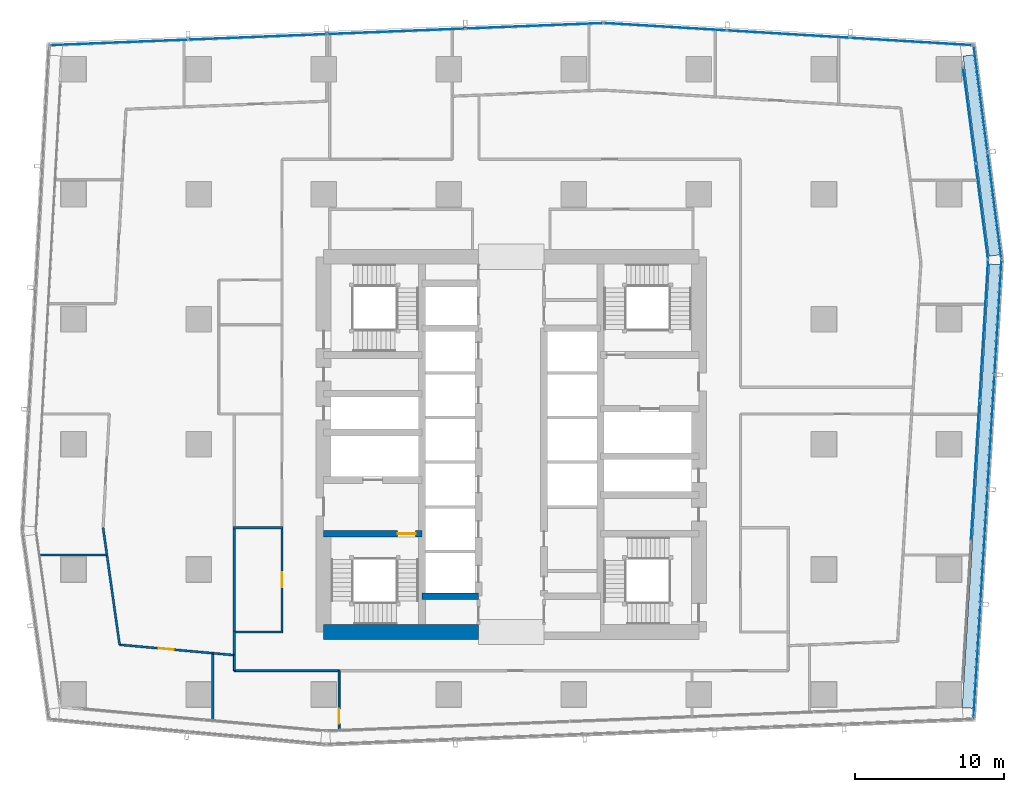
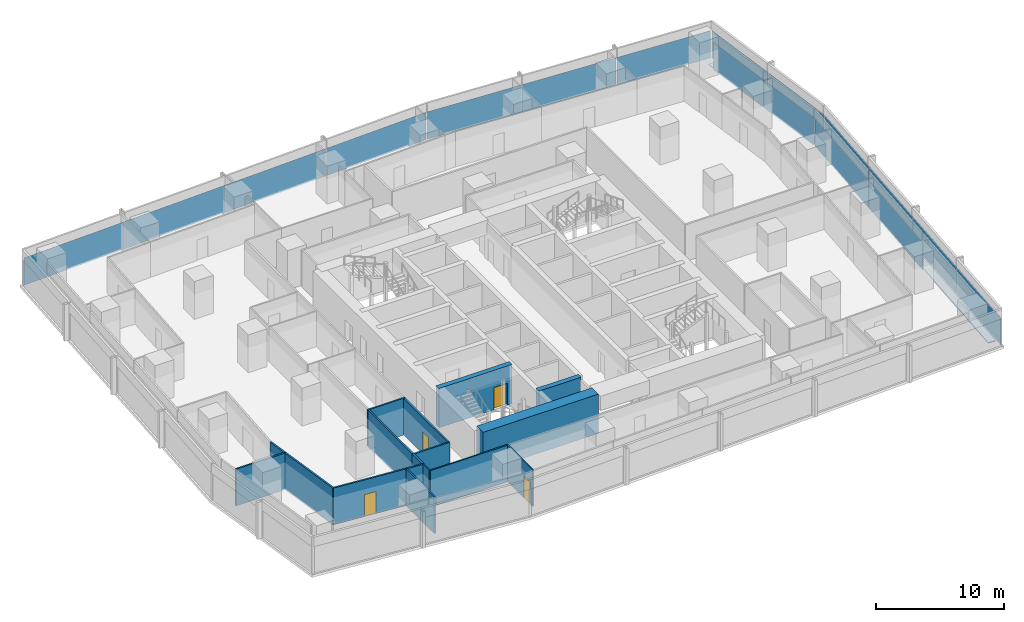
# One storey, part 28 of 40: 19 plates, 17 walls, 4 doors, 4 openings, 6 elements without a shape of their own.
"""IFC4 building model written with IfcOpenShell, lengths in metres."""

from ifc_helpers import new_model, si_unit, direction, frame, frame_2d, origin, origin_2d, place, context, subcontext, project, spatial, rectangle, extrude, material, layer, layer_set, type_object, element, fill, aggregate, save


model = new_model("IFC4")

# Units and contexts
model_context = context("Model", 3, precision=1e-05, world=origin(), true_north=direction((0.0, 1.0)))
body_context = subcontext(model_context, "Body", "Model", "MODEL_VIEW")
ifc_project = project(units=[si_unit("LENGTHUNIT", "METRE"), si_unit("AREAUNIT", "SQUARE_METRE"), si_unit("VOLUMEUNIT", "CUBIC_METRE"), si_unit("PLANEANGLEUNIT", "RADIAN"), si_unit("MASSUNIT", "GRAM", prefix="KILO")], contexts=[model_context])

# Site, building, storey
site_placement = place(None, origin())
site = spatial("IfcSite", under=ifc_project, at=site_placement, CompositionType="ELEMENT")
building_placement = place(site_placement, origin())
building = spatial("IfcBuilding", under=site, at=building_placement, Name="Rekha Terrace Tower", CompositionType="ELEMENT")
storey_placement = place(building_placement, frame((0.0, 0.0, 106.550048828125)))
storey = spatial("IfcBuildingStorey", under=building, at=storey_placement, Name="L26", CompositionType="ELEMENT", Elevation=106.550048828125)

# Curtain wall, plates
ifc_material_1 = material(Name="Aluminium framing", Category="aluminium")
curtain_wall_type_1 = type_object("IfcCurtainWallType", Name="CW1 double skin inner glazing", PredefinedType="USERDEFINED", material=ifc_material_1)
curtain_wall_1_placement = place(storey_placement, origin())
curtain_wall_1 = element("IfcCurtainWall", 1, at=curtain_wall_1_placement, inside=storey, type_object=curtain_wall_type_1, Name="CW1 double skin inner glazing", ObjectType="DOUBLE SKIN INNER GLAZING", PredefinedType="USERDEFINED")
ifc_material_2 = material(Name="Double-glazed low-e unit 32", Category="glass")
ifc_layer_1 = layer(ifc_material_2, 0.031982421875)
ifc_layer_set_1 = layer_set([ifc_layer_1], Name="Double-glazed low-e unit 32")
plate_type_1 = type_object("IfcPlateType", Name="CW1 jumbo vision panel, double-glazed low-e unit 32", PredefinedType="CURTAIN_PANEL", material=ifc_layer_set_1)
plate_1_placement = place(storey_placement, frame((68.968505859375, 31.8193359375, 0.0), z_axis=(0.0, 0.0, 1.0), x_axis=(0.061159803131, 0.998127987024, 0.0)))
plate_1 = element("IfcPlate", 2, at=plate_1_placement, type_object=plate_type_1, Name="CW1 panel 2.1", PredefinedType="CURTAIN_PANEL", context=body_context, shape_type="SweptSolid", body=[
    extrude(rectangle(XDim=9.3876953125, YDim=0.031982421875, at=origin_2d()), origin(), (0.0, 0.0, 1.0), 2.60009765625),
])
plate_2_placement = place(storey_placement, frame((69.547607421875, 41.2705078125, 0.0), z_axis=(0.0, 0.0, 1.0), x_axis=(0.061159803131, 0.998127987024, 0.0)))
plate_2 = element("IfcPlate", 3, at=plate_2_placement, type_object=plate_type_1, Name="CW1 panel 3.1", PredefinedType="CURTAIN_PANEL", context=body_context, shape_type="SweptSolid", body=[
    extrude(rectangle(XDim=9.420166015625, YDim=0.031982421875, at=origin_2d()), origin(), (0.0, 0.0, 1.0), 2.60009765625),
])
aggregate(curtain_wall_1, [plate_1, plate_2])

curtain_wall_2_placement = place(storey_placement, origin())
curtain_wall_2 = element("IfcCurtainWall", 4, at=curtain_wall_2_placement, inside=storey, type_object=curtain_wall_type_1, Name="CW1 double skin inner glazing", ObjectType="DOUBLE SKIN INNER GLAZING", PredefinedType="USERDEFINED")
plate_3_placement = place(storey_placement, frame((69.411376953125, 49.230712890625, 0.0), z_axis=(0.0, 0.0, 1.0), x_axis=(-0.129118383675, 0.991629186237, 0.0)))
plate_3 = element("IfcPlate", 5, at=plate_3_placement, type_object=plate_type_1, Name="CW1 panel 1.1", PredefinedType="CURTAIN_PANEL", context=body_context, shape_type="SweptSolid", body=[
    extrude(rectangle(XDim=6.443115234375, YDim=0.031982421875, at=origin_2d()), origin(), (0.0, 0.0, 1.0), 2.60009765625),
])
plate_4_placement = place(storey_placement, frame((68.571044921875, 55.68408203125, 0.0), z_axis=(0.0, 0.0, 1.0), x_axis=(-0.129118383675, 0.991629186237, 0.0)))
plate_4 = element("IfcPlate", 6, at=plate_4_placement, type_object=plate_type_1, Name="CW1 panel 2.1", PredefinedType="CURTAIN_PANEL", context=body_context, shape_type="SweptSolid", body=[
    extrude(rectangle(XDim=6.443115234375, YDim=0.031982421875, at=origin_2d()), origin(), (0.0, 0.0, 1.0), 2.60009765625),
])
aggregate(curtain_wall_2, [plate_3, plate_4])

curtain_wall_type_2 = type_object("IfcCurtainWallType", Name="CW2 double skin outer glazing", PredefinedType="USERDEFINED", material=ifc_material_1)
curtain_wall_3_placement = place(storey_placement, origin())
curtain_wall_3 = element("IfcCurtainWall", 7, at=curtain_wall_3_placement, inside=storey, type_object=curtain_wall_type_2, Name="CW2 double skin outer glazing", ObjectType="DOUBLE SKIN OUTER GLAZING", PredefinedType="USERDEFINED")
ifc_material_3 = material(Name="Toughened single glazing 12", Category="glass")
ifc_layer_2 = layer(ifc_material_3, 0.011962890625)
ifc_layer_set_2 = layer_set([ifc_layer_2], Name="Toughened single glazing 12")
plate_type_2 = type_object("IfcPlateType", Name="CW2 jumbo vision panel, toughened single glazing 12", PredefinedType="CURTAIN_PANEL", material=ifc_layer_set_2)
plate_5_placement = place(storey_placement, frame((69.086669921875, 19.0302734375, 0.0), z_axis=(0.0, 0.0, 1.0), x_axis=(0.061159803131, 0.998127987024, 0.0)))
plate_5 = element("IfcPlate", 8, at=plate_5_placement, type_object=plate_type_2, Name="CW2 panel 1.1", PredefinedType="CURTAIN_PANEL", context=body_context, shape_type="SweptSolid", body=[
    extrude(rectangle(XDim=7.6064453125, YDim=0.011962890625, at=origin_2d()), origin(), (0.0, 0.0, 1.0), 2.60009765625),
])
plate_6_placement = place(storey_placement, frame((69.557861328125, 26.722412109375, 0.0), z_axis=(0.0, 0.0, 1.0), x_axis=(0.061159803131, 0.998127987024, 0.0)))
plate_6 = element("IfcPlate", 9, at=plate_6_placement, type_object=plate_type_2, Name="CW2 panel 2.1", PredefinedType="CURTAIN_PANEL", context=body_context, shape_type="SweptSolid", body=[
    extrude(rectangle(XDim=7.646484375, YDim=0.011962890625, at=origin_2d()), origin(), (0.0, 0.0, 1.0), 2.60009765625),
])
plate_7_placement = place(storey_placement, frame((70.030517578125, 34.434326171875, 0.0), z_axis=(0.0, 0.0, 1.0), x_axis=(0.061159803131, 0.998127987024, 0.0)))
plate_7 = element("IfcPlate", 10, at=plate_7_placement, type_object=plate_type_2, Name="CW2 panel 3.1", PredefinedType="CURTAIN_PANEL", context=body_context, shape_type="SweptSolid", body=[
    extrude(rectangle(XDim=7.646484375, YDim=0.011962890625, at=origin_2d()), origin(), (0.0, 0.0, 1.0), 2.60009765625),
])
plate_8_placement = place(storey_placement, frame((70.50439453125, 42.16650390625, 0.0), z_axis=(0.0, 0.0, 1.0), x_axis=(0.061159803131, 0.998127987024, 0.0)))
plate_8 = element("IfcPlate", 11, at=plate_8_placement, type_object=plate_type_2, Name="CW2 panel 4.1", PredefinedType="CURTAIN_PANEL", context=body_context, shape_type="SweptSolid", body=[
    extrude(rectangle(XDim=7.6865234375, YDim=0.011962890625, at=origin_2d()), origin(), (0.0, 0.0, 1.0), 2.60009765625),
])
aggregate(curtain_wall_3, [plate_5, plate_6, plate_7, plate_8])

curtain_wall_4_placement = place(storey_placement, origin())
curtain_wall_4 = element("IfcCurtainWall", 12, at=curtain_wall_4_placement, inside=storey, type_object=curtain_wall_type_2, Name="CW2 double skin outer glazing", ObjectType="DOUBLE SKIN OUTER GLAZING", PredefinedType="USERDEFINED")
plate_9_placement = place(storey_placement, frame((70.2666015625, 49.6337890625, 0.0), z_axis=(0.0, 0.0, 1.0), x_axis=(-0.129118383623, 0.991629186244, 0.0)))
plate_9 = element("IfcPlate", 13, at=plate_9_placement, type_object=plate_type_2, Name="CW2 panel 1.1", PredefinedType="CURTAIN_PANEL", context=body_context, shape_type="SweptSolid", body=[
    extrude(rectangle(XDim=7.163818359375, YDim=0.011962890625, at=origin_2d()), origin(), (0.0, 0.0, 1.0), 2.60009765625),
])
plate_10_placement = place(storey_placement, frame((69.331298828125, 56.81689453125, 0.0), z_axis=(0.0, 0.0, 1.0), x_axis=(-0.129118383623, 0.991629186244, 0.0)))
plate_10 = element("IfcPlate", 14, at=plate_10_placement, type_object=plate_type_2, Name="CW2 panel 2.1", PredefinedType="CURTAIN_PANEL", context=body_context, shape_type="SweptSolid", body=[
    extrude(rectangle(XDim=7.163818359375, YDim=0.011962890625, at=origin_2d()), origin(), (0.0, 0.0, 1.0), 2.60009765625),
])
aggregate(curtain_wall_4, [plate_9, plate_10])

curtain_wall_type_3 = type_object("IfcCurtainWallType", Name="CW3 north unitised glazing", PredefinedType="USERDEFINED", material=ifc_material_1)
curtain_wall_5_placement = place(storey_placement, origin())
curtain_wall_5 = element("IfcCurtainWall", 15, at=curtain_wall_5_placement, inside=storey, type_object=curtain_wall_type_3, Name="CW3 unitised curtain wall", ObjectType="UNITISED CURTAIN WALL", PredefinedType="USERDEFINED")
ifc_material_4 = material(Name="Double-glazed unit 28", Category="glass")
ifc_layer_3 = layer(ifc_material_4, 0.028076171875)
ifc_layer_set_3 = layer_set([ifc_layer_3], Name="Double-glazed unit 28")
plate_type_3 = type_object("IfcPlateType", Name="CW3 jumbo vision panel, double-glazed unit 28", PredefinedType="CURTAIN_PANEL", material=ifc_layer_set_3)
plate_11_placement = place(storey_placement, frame((64.6748046875, 60.65966796875, 0.0), z_axis=(0.0, 0.0, 1.0), x_axis=(-0.998199102701, 0.059987926837, 0.0)))
plate_11 = element("IfcPlate", 16, at=plate_11_placement, type_object=plate_type_3, Name="CW3 panel 1.1", PredefinedType="CURTAIN_PANEL", context=body_context, shape_type="SweptSolid", body=[
    extrude(rectangle(XDim=8.171630859375, YDim=0.028076171875, at=origin_2d()), origin(), (0.0, 0.0, 1.0), 2.60009765625),
])
plate_12_placement = place(storey_placement, frame((56.430419921875, 61.155029296875, 0.0), z_axis=(0.0, 0.0, 1.0), x_axis=(-0.998199102701, 0.059987926837, 0.0)))
plate_12 = element("IfcPlate", 17, at=plate_12_placement, type_object=plate_type_3, Name="CW3 panel 2.1", PredefinedType="CURTAIN_PANEL", context=body_context, shape_type="SweptSolid", body=[
    extrude(rectangle(XDim=8.20654296875, YDim=0.028076171875, at=origin_2d()), origin(), (0.0, 0.0, 1.0), 2.60009765625),
])
plate_13_placement = place(storey_placement, frame((48.1513671875, 61.652587890625, 0.0), z_axis=(0.0, 0.0, 1.0), x_axis=(-0.998199102701, 0.059987926837, 0.0)))
plate_13 = element("IfcPlate", 18, at=plate_13_placement, type_object=plate_type_3, Name="CW3 panel 3.1", PredefinedType="CURTAIN_PANEL", context=body_context, shape_type="SweptSolid", body=[
    extrude(rectangle(XDim=8.24169921875, YDim=0.028076171875, at=origin_2d()), origin(), (0.0, 0.0, 1.0), 2.60009765625),
])
aggregate(curtain_wall_5, [plate_11, plate_12, plate_13])

curtain_wall_6_placement = place(storey_placement, origin())
curtain_wall_6 = element("IfcCurtainWall", 19, at=curtain_wall_6_placement, inside=storey, type_object=curtain_wall_type_3, Name="CW3 unitised curtain wall", ObjectType="UNITISED CURTAIN WALL", PredefinedType="USERDEFINED")
plate_14_placement = place(storey_placement, frame((39.364501953125, 61.71240234375, 0.0), z_axis=(0.0, 0.0, 1.0), x_axis=(-0.999198398721, -0.040031987119, 0.0)))
plate_14 = element("IfcPlate", 20, at=plate_14_placement, type_object=plate_type_3, Name="CW3 panel 1.1", PredefinedType="CURTAIN_PANEL", context=body_context, shape_type="SweptSolid", body=[
    extrude(rectangle(XDim=9.214599609375, YDim=0.028076171875, at=origin_2d()), origin(), (0.0, 0.0, 1.0), 2.60009765625),
])
plate_15_placement = place(storey_placement, frame((30.06982421875, 61.340087890625, 0.0), z_axis=(0.0, 0.0, 1.0), x_axis=(-0.999198398721, -0.040031987119, 0.0)))
plate_15 = element("IfcPlate", 21, at=plate_15_placement, type_object=plate_type_3, Name="CW3 panel 2.1", PredefinedType="CURTAIN_PANEL", context=body_context, shape_type="SweptSolid", body=[
    extrude(rectangle(XDim=9.24951171875, YDim=0.028076171875, at=origin_2d()), origin(), (0.0, 0.0, 1.0), 2.60009765625),
])
plate_16_placement = place(storey_placement, frame((20.7578125, 60.967041015625, 0.0), z_axis=(0.0, 0.0, 1.0), x_axis=(-0.999198398721, -0.040031987119, 0.0)))
plate_16 = element("IfcPlate", 22, at=plate_16_placement, type_object=plate_type_3, Name="CW3 panel 3.1", PredefinedType="CURTAIN_PANEL", context=body_context, shape_type="SweptSolid", body=[
    extrude(rectangle(XDim=9.24951171875, YDim=0.028076171875, at=origin_2d()), origin(), (0.0, 0.0, 1.0), 2.60009765625),
])
plate_17_placement = place(storey_placement, frame((11.46337890625, 60.5947265625, 0.0), z_axis=(0.0, 0.0, 1.0), x_axis=(-0.999198398721, -0.040031987119, 0.0)))
plate_17 = element("IfcPlate", 23, at=plate_17_placement, type_object=plate_type_3, Name="CW3 panel 4.1", PredefinedType="CURTAIN_PANEL", context=body_context, shape_type="SweptSolid", body=[
    extrude(rectangle(XDim=9.214599609375, YDim=0.028076171875, at=origin_2d()), origin(), (0.0, 0.0, 1.0), 2.60009765625),
])
aggregate(curtain_wall_6, [plate_14, plate_15, plate_16, plate_17])

# Plates
ifc_material_5 = material(Name="Galvanised steel open grating", Category="steel")
ifc_layer_4 = layer(ifc_material_5, 0.050048828125)
ifc_layer_set_4 = layer_set([ifc_layer_4], Name="Galvanised steel open grating")
plate_type_4 = type_object("IfcPlateType", Name="GT1 cavity walkway grating 50", PredefinedType="USERDEFINED", material=ifc_layer_set_4)
plate_18_placement = place(storey_placement, frame((69.356201171875, 30.78759765625, 0.0), z_axis=(0.0, 0.0, 1.0), x_axis=(0.061159803131, 0.998127987024, 0.0)))
element("IfcPlate", 24, at=plate_18_placement, inside=storey, type_object=plate_type_4, Name="Cavity walkway grating", ObjectType="CAVITY WALKWAY GRATING", PredefinedType="USERDEFINED", context=body_context, shape_type="SweptSolid", body=[
    extrude(rectangle(XDim=29.85595703125, YDim=0.705078125, at=origin_2d()), origin(), (0.0, 0.0, 1.0), 0.050048828125),
])
plate_19_placement = place(storey_placement, frame((69.373779296875, 53.004150390625, 0.0), z_axis=(0.0, 0.0, 1.0), x_axis=(-0.129118383623, 0.991629186244, 0.0)))
element("IfcPlate", 25, at=plate_19_placement, inside=storey, type_object=plate_type_4, Name="Cavity walkway grating", ObjectType="CAVITY WALKWAY GRATING", PredefinedType="USERDEFINED", context=body_context, shape_type="SweptSolid", body=[
    extrude(rectangle(XDim=13.552734375, YDim=0.705078125, at=origin_2d()), origin(), (0.0, 0.0, 1.0), 0.050048828125),
])

# Wall
ifc_material_6 = material(Name="Concrete M70", Category="concrete")
ifc_layer_5 = layer(ifc_material_6, 0.449951171875)
ifc_layer_set_5 = layer_set([ifc_layer_5], Name="Concrete M70")
wall_type_1 = type_object("IfcWallType", Name="CI2 450 core internal shear wall", PredefinedType="SHEAR", material=ifc_layer_set_5)
wall_1_placement = place(storey_placement, frame((31.800048828125, 23.39990234375, 0.0), z_axis=(0.0, 0.0, 1.0), x_axis=(1.0, 0.0, 0.0)))
element("IfcWall", 26, at=wall_1_placement, inside=storey, type_object=wall_type_1, Name="Core wall Y234W L26", PredefinedType="SHEAR", context=body_context, shape_type="SweptSolid", body=[
    extrude(rectangle(XDim=3.800048828125, YDim=0.449951171875, at=frame_2d((1.89990234375, 0.0))), origin(), (0.0, 0.0, 1.0), 3.75),
])

# Wall, opening, door
wall_2_placement = place(storey_placement, frame((25.199951171875, 27.60009765625, 0.0), z_axis=(0.0, 0.0, 1.0), x_axis=(1.0, 0.0, 0.0)))
wall_2 = element("IfcWall", 27, at=wall_2_placement, inside=storey, type_object=wall_type_1, Name="Core wall Y276W L26", PredefinedType="SHEAR", context=body_context, shape_type="SweptSolid", body=[
    extrude(rectangle(XDim=6.60009765625, YDim=0.449951171875, at=frame_2d((3.300048828125, 0.0))), origin(), (0.0, 0.0, 1.0), 3.75),
])
opening_1_placement = place(wall_2_placement, frame((4.97509765625, 0.0, 0.0)))
opening_1 = element("IfcOpeningElement", 28, at=opening_1_placement, cuts=wall_2, Name="Opening D1", PredefinedType="OPENING", context=body_context, shape_type="SweptSolid", body=[
    extrude(rectangle(XDim=1.199951171875, YDim=2.10009765625, at=frame_2d((0.60009765625, 1.050048828125))), frame((0.0, 0.23486328125, 0.0), z_axis=(0.0, -1.0, 0.0), x_axis=(1.0, 0.0, 0.0)), (0.0, 0.0, 1.0), 0.469970703125),
])
ifc_material_7 = material(Name="Steel fire door", Category="steel")
door_type_1 = type_object("IfcDoorType", Name="D1 1200x2100 stair fire door", OperationType="SINGLE_SWING_RIGHT", PredefinedType="DOOR", material=ifc_material_7)
door_1_placement = place(opening_1_placement, origin())
door_1 = element("IfcDoor", 29, at=door_1_placement, inside=storey, type_object=door_type_1, Name="Stair ST1 door L26", OperationType="SINGLE_SWING_RIGHT", OverallHeight=2.10009765625, OverallWidth=1.199951171875, PredefinedType="DOOR", context=body_context, shape_type="SweptSolid", body=[
    extrude(rectangle(XDim=1.199951171875, YDim=2.10009765625, at=frame_2d((0.60009765625, 1.050048828125))), frame((0.0, 0.02490234375, 0.0), z_axis=(0.0, -1.0, 0.0), x_axis=(1.0, 0.0, 0.0)), (0.0, 0.0, 1.0), 0.050048828125),
])
fill(opening_1, door_1)

# Walls
ifc_layer_6 = layer(ifc_material_6, 1.0)
ifc_layer_set_6 = layer_set([ifc_layer_6], Name="Concrete M70")
wall_type_2 = type_object("IfcWallType", Name="SW2 1000 core outer shear wall", PredefinedType="SHEAR", material=ifc_layer_set_6)
wall_3_placement = place(storey_placement, frame((25.199951171875, 21.0, 0.0), z_axis=(0.0, 0.0, 1.0), x_axis=(1.0, 0.0, 0.0)))
element("IfcWall", 30, at=wall_3_placement, inside=storey, type_object=wall_type_2, Name="Core wall S1 L26", PredefinedType="SHEAR", context=body_context, shape_type="SweptSolid", body=[
    extrude(rectangle(XDim=10.400146484375, YDim=1.0, at=frame_2d((5.2001953125, 0.0))), origin(), (0.0, 0.0, 1.0), 3.75),
])
ifc_material_8 = material(Name="Concrete block masonry, 1 hour", Category="masonry")
ifc_layer_7 = layer(ifc_material_8, 0.14990234375)
ifc_layer_set_7 = layer_set([ifc_layer_7], Name="Concrete block masonry, 1 hour")
wall_type_3 = type_object("IfcWallType", Name="WP2 150 tenancy partition", PredefinedType="PARTITIONING", material=ifc_layer_set_7)
for number, where, z_axis, x_axis, name in (
    (31, (19.125, 21.0, 0.0), (0.0, 0.0, 1.0), (1.0, 0.0, 0.0), "Men's WC wall L26"),
    (32, (19.125, 28.0, 0.0), (0.0, 0.0, 1.0), (1.0, 0.0, 0.0), "Men's WC wall L26"),
):
    element("IfcWall", number, at=place(storey_placement, frame(where, z_axis=z_axis, x_axis=x_axis)), inside=storey, type_object=wall_type_3, Name=name, PredefinedType="PARTITIONING", context=body_context, shape_type="SweptSolid", body=[
        extrude(rectangle(XDim=3.35009765625, YDim=0.14990234375, at=frame_2d((1.675048828125, 0.0))), origin(), (0.0, 0.0, 1.0), 3.5),
    ])
wall_4_placement = place(storey_placement, frame((19.199951171875, 21.074951171875, 0.0), z_axis=(0.0, 0.0, 1.0), x_axis=(0.0, 1.0, 0.0)))
element("IfcWall", 33, at=wall_4_placement, inside=storey, type_object=wall_type_3, Name="Men's WC wall L26", PredefinedType="PARTITIONING", context=body_context, shape_type="SweptSolid", body=[
    extrude(rectangle(XDim=6.85009765625, YDim=0.14990234375, at=frame_2d((3.425048828125, 0.0))), origin(), (0.0, 0.0, 1.0), 3.5),
])

# Wall, opening, door
wall_5_placement = place(storey_placement, frame((22.39990234375, 21.074951171875, 0.0), z_axis=(0.0, 0.0, 1.0), x_axis=(0.0, 1.0, 0.0)))
wall_5 = element("IfcWall", 34, at=wall_5_placement, inside=storey, type_object=wall_type_3, Name="Men's WC wall L26", PredefinedType="PARTITIONING", context=body_context, shape_type="SweptSolid", body=[
    extrude(rectangle(XDim=6.85009765625, YDim=0.14990234375, at=frame_2d((3.425048828125, 0.0))), origin(), (0.0, 0.0, 1.0), 3.5),
])
opening_2_placement = place(wall_5_placement, frame((2.925048828125, 0.0, 0.0)))
opening_2 = element("IfcOpeningElement", 35, at=opening_2_placement, cuts=wall_5, Name="Opening D3", PredefinedType="OPENING", context=body_context, shape_type="SweptSolid", body=[
    extrude(rectangle(XDim=1.0, YDim=2.10009765625, at=frame_2d((0.5, 1.050048828125))), frame((0.0, 0.0849609375, 0.0), z_axis=(0.0, -1.0, 0.0), x_axis=(1.0, 0.0, 0.0)), (0.0, 0.0, 1.0), 0.169921875),
])
ifc_material_9 = material(Name="Laminated timber fire door", Category="wood")
door_type_2 = type_object("IfcDoorType", Name="D3 1000x2100 WC door", OperationType="SINGLE_SWING_LEFT", PredefinedType="DOOR", material=ifc_material_9)
door_2_placement = place(opening_2_placement, origin())
door_2 = element("IfcDoor", 36, at=door_2_placement, inside=storey, type_object=door_type_2, Name="Door men's wc L26", OperationType="SINGLE_SWING_LEFT", OverallHeight=2.10009765625, OverallWidth=1.0, PredefinedType="DOOR", context=body_context, shape_type="SweptSolid", body=[
    extrude(rectangle(XDim=1.0, YDim=2.10009765625, at=frame_2d((0.5, 1.050048828125))), frame((0.0, 0.02490234375, 0.0), z_axis=(0.0, -1.0, 0.0), x_axis=(1.0, 0.0, 0.0)), (0.0, 0.0, 1.0), 0.050048828125),
])
fill(opening_2, door_2)

# Walls
wall_6_placement = place(storey_placement, frame((19.199951171875, 21.074951171875, 0.0), z_axis=(0.0, 0.0, 1.0), x_axis=(0.0, -1.0, 0.0)))
element("IfcWall", 37, at=wall_6_placement, inside=storey, type_object=wall_type_3, Name="Partition L26-O2", PredefinedType="PARTITIONING", context=body_context, shape_type="SweptSolid", body=[
    extrude(rectangle(XDim=1.635986328125, YDim=0.14990234375, at=frame_2d((0.81787109375, 0.0))), origin(), (0.0, 0.0, 1.0), 3.5),
])
wall_7_placement = place(storey_placement, frame((19.199951171875, 19.43896484375, 0.0), z_axis=(0.0, 0.0, 1.0), x_axis=(-0.995920706464, 0.090232734836, 0.0)))
element("IfcWall", 38, at=wall_7_placement, inside=storey, type_object=wall_type_3, Name="Partition L26-O2", PredefinedType="PARTITIONING", context=body_context, shape_type="SweptSolid", body=[
    extrude(rectangle(XDim=1.452880859375, YDim=0.14990234375, at=frame_2d((0.7265625, 0.0))), origin(), (0.0, 0.0, 1.0), 3.5),
])
wall_8_placement = place(storey_placement, frame((17.7529296875, 19.570068359375, 0.0), z_axis=(0.0, 0.0, 1.0), x_axis=(0.0, -1.0, 0.0)))
element("IfcWall", 39, at=wall_8_placement, inside=storey, type_object=wall_type_3, Name="Partition L26-O2", PredefinedType="PARTITIONING", context=body_context, shape_type="SweptSolid", body=[
    extrude(rectangle(XDim=4.468017578125, YDim=0.14990234375, at=frame_2d((2.23388671875, 0.0))), origin(), (0.0, 0.0, 1.0), 3.5),
])

# Wall, opening, door
wall_9_placement = place(storey_placement, frame((17.751953125, 19.570068359375, 0.0), z_axis=(0.0, 0.0, 1.0), x_axis=(-0.995899251229, 0.090469229029, 0.0)))
wall_9 = element("IfcWall", 40, at=wall_9_placement, inside=storey, type_object=wall_type_3, Name="Partition L26-O2", PredefinedType="PARTITIONING", context=body_context, shape_type="SweptSolid", body=[
    extrude(rectangle(XDim=6.287841796875, YDim=0.14990234375, at=frame_2d((3.14404296875, 0.0))), origin(), (0.0, 0.0, 1.0), 3.5),
])
opening_3_placement = place(wall_9_placement, frame((2.64404296875, 0.0, 0.0)))
opening_3 = element("IfcOpeningElement", 41, at=opening_3_placement, cuts=wall_9, Name="Opening D9", PredefinedType="OPENING", context=body_context, shape_type="SweptSolid", body=[
    extrude(rectangle(XDim=1.0, YDim=2.10009765625, at=frame_2d((0.5, 1.050048828125))), frame((0.0, 0.0849609375, 0.0), z_axis=(0.0, -1.0, 0.0), x_axis=(1.0, 0.0, 0.0)), (0.0, 0.0, 1.0), 0.169921875),
])
ifc_material_10 = material(Name="Timber fire door", Category="wood")
door_type_3 = type_object("IfcDoorType", Name="D9 1000x2100 office door", OperationType="SINGLE_SWING_LEFT", PredefinedType="DOOR", material=ifc_material_10)
door_3_placement = place(opening_3_placement, origin())
door_3 = element("IfcDoor", 42, at=door_3_placement, inside=storey, type_object=door_type_3, Name="Door manager's office L26", OperationType="SINGLE_SWING_LEFT", OverallHeight=2.10009765625, OverallWidth=1.0, PredefinedType="DOOR", context=body_context, shape_type="SweptSolid", body=[
    extrude(rectangle(XDim=1.0, YDim=2.10009765625, at=frame_2d((0.5, 1.050048828125))), frame((0.0, 0.02490234375, 0.0), z_axis=(0.0, -1.0, 0.0), x_axis=(1.0, 0.0, 0.0)), (0.0, 0.0, 1.0), 0.050048828125),
])
fill(opening_3, door_3)

# Walls
wall_10_placement = place(storey_placement, frame((11.489990234375, 20.138916015625, 0.0), z_axis=(0.0, 0.0, 1.0), x_axis=(-0.139593505482, 0.990208893733, 0.0)))
element("IfcWall", 43, at=wall_10_placement, inside=storey, type_object=wall_type_3, Name="Partition L26-O2", PredefinedType="PARTITIONING", context=body_context, shape_type="SweptSolid", body=[
    extrude(rectangle(XDim=6.096923828125, YDim=0.14990234375, at=frame_2d((3.04833984375, 0.0))), origin(), (0.0, 0.0, 1.0), 3.5),
])
wall_11_placement = place(storey_placement, frame((10.638916015625, 26.176025390625, 0.0), z_axis=(0.0, 0.0, 1.0), x_axis=(-1.0, 0.0, 0.0)))
element("IfcWall", 44, at=wall_11_placement, inside=storey, type_object=wall_type_3, Name="Partition L26-O2", PredefinedType="PARTITIONING", context=body_context, shape_type="SweptSolid", body=[
    extrude(rectangle(XDim=4.493896484375, YDim=0.14990234375, at=frame_2d((2.2470703125, 0.0))), origin(), (0.0, 0.0, 1.0), 3.5),
])
wall_12_placement = place(storey_placement, frame((10.638916015625, 26.177001953125, 0.0), z_axis=(0.0, 0.0, 1.0), x_axis=(-0.139570739539, 0.990212102867, 0.0)))
element("IfcWall", 45, at=wall_12_placement, inside=storey, type_object=wall_type_3, Name="Partition L26-O2", PredefinedType="PARTITIONING", context=body_context, shape_type="SweptSolid", body=[
    extrude(rectangle(XDim=1.84716796875, YDim=0.14990234375, at=frame_2d((0.923583984375, 0.0))), origin(), (0.0, 0.0, 1.0), 3.5),
])
ifc_material_11 = material(Name="Two layers of fire-rated gypsum board each side on steel studs, acoustic quilt, 1 hour", Category="steel")
ifc_layer_8 = layer(ifc_material_11, 0.125)
ifc_layer_set_8 = layer_set([ifc_layer_8], Name="Two layers of fire-rated gypsum board each side on steel studs, acoustic quilt, 1 hour")
wall_type_4 = type_object("IfcWallType", Name="WP3 125 office partition", PredefinedType="PARTITIONING", material=ifc_layer_set_8)
wall_13_placement = place(storey_placement, frame((19.199951171875, 18.39990234375, 0.0), z_axis=(0.0, 0.0, 1.0), x_axis=(1.0, 0.0, 0.0)))
element("IfcWall", 46, at=wall_13_placement, inside=storey, type_object=wall_type_4, Name="Partition L26-20", PredefinedType="PARTITIONING", context=body_context, shape_type="SweptSolid", body=[
    extrude(rectangle(XDim=7.033935546875, YDim=0.125, at=frame_2d((3.51708984375, 0.0))), origin(), (0.0, 0.0, 1.0), 3.5),
])

# Wall, opening, door
wall_14_placement = place(storey_placement, frame((26.23388671875, 18.39990234375, 0.0), z_axis=(0.0, 0.0, 1.0), x_axis=(0.0, -1.0, 0.0)))
wall_14 = element("IfcWall", 47, at=wall_14_placement, inside=storey, type_object=wall_type_4, Name="Partition L26-20", PredefinedType="PARTITIONING", context=body_context, shape_type="SweptSolid", body=[
    extrude(rectangle(XDim=3.953857421875, YDim=0.125, at=frame_2d((1.97705078125, 0.0))), origin(), (0.0, 0.0, 1.0), 3.5),
])
opening_4_placement = place(wall_14_placement, frame((2.56201171875, 0.0, 0.0)))
opening_4 = element("IfcOpeningElement", 48, at=opening_4_placement, cuts=wall_14, Name="Opening D9", PredefinedType="OPENING", context=body_context, shape_type="SweptSolid", body=[
    extrude(rectangle(XDim=1.0, YDim=2.10009765625, at=frame_2d((0.5, 1.050048828125))), frame((0.0, 0.072509765625, 0.0), z_axis=(0.0, -1.0, 0.0), x_axis=(1.0, 0.0, 0.0)), (0.0, 0.0, 1.0), 0.14501953125),
])
door_4_placement = place(opening_4_placement, origin())
door_4 = element("IfcDoor", 49, at=door_4_placement, inside=storey, type_object=door_type_3, Name="Door breakout lounge L26", OperationType="SINGLE_SWING_LEFT", OverallHeight=2.10009765625, OverallWidth=1.0, PredefinedType="DOOR", context=body_context, shape_type="SweptSolid", body=[
    extrude(rectangle(XDim=1.0, YDim=2.10009765625, at=frame_2d((0.5, 1.050048828125))), frame((0.0, 0.02490234375, 0.0), z_axis=(0.0, -1.0, 0.0), x_axis=(1.0, 0.0, 0.0)), (0.0, 0.0, 1.0), 0.050048828125),
])
fill(opening_4, door_4)

# Wall
wall_15_placement = place(storey_placement, frame((19.199951171875, 19.43896484375, 0.0), z_axis=(0.0, 0.0, 1.0), x_axis=(0.0, -1.0, 0.0)))
element("IfcWall", 50, at=wall_15_placement, inside=storey, type_object=wall_type_4, Name="Partition L26-20", PredefinedType="PARTITIONING", context=body_context, shape_type="SweptSolid", body=[
    extrude(rectangle(XDim=1.0390625, YDim=0.125, at=frame_2d((0.51953125, 0.0))), origin(), (0.0, 0.0, 1.0), 3.5),
])

save(model, "model.ifc")
